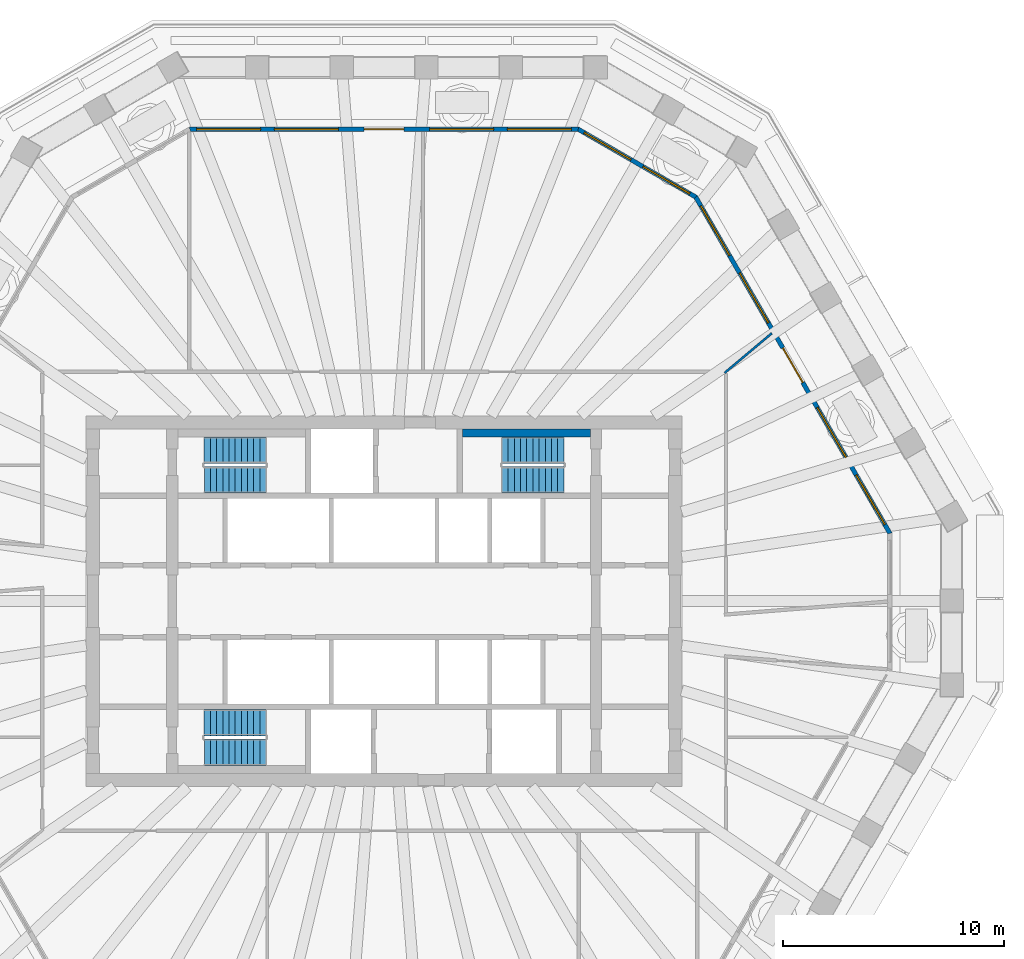
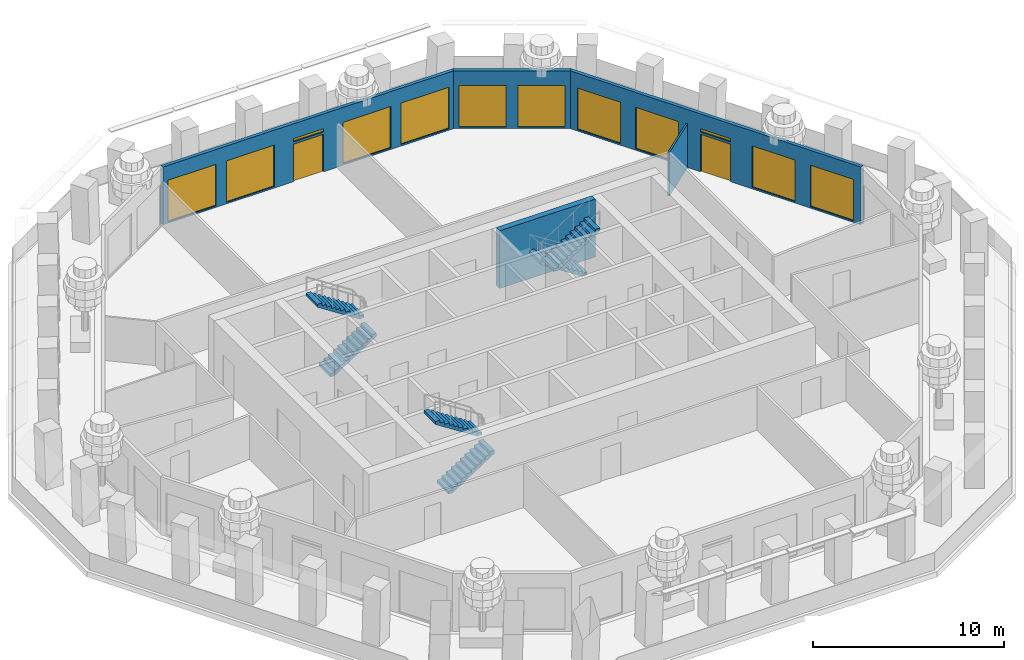
# One storey, part 7 of 12: 12 windows, 6 stair flights, 5 walls, 2 doors, 14 openings, 3 elements without a shape of their own.
"""IFC4 building model written with IfcOpenShell, lengths in metres."""

from ifc_helpers import new_model, si_unit, direction, frame, frame_2d, origin, place, context, subcontext, project, spatial, polyline, rectangle, outline, extrude, material, layer, layer_set, type_object, element, fill, aggregate, save


model = new_model("IFC4")

# Units and contexts
model_context = context("Model", 3, precision=1e-05, world=origin(), true_north=direction((0.0, 1.0)))
body_context = subcontext(model_context, "Body", "Model", "MODEL_VIEW")
ifc_project = project(units=[si_unit("LENGTHUNIT", "METRE"), si_unit("AREAUNIT", "SQUARE_METRE"), si_unit("VOLUMEUNIT", "CUBIC_METRE"), si_unit("PLANEANGLEUNIT", "RADIAN"), si_unit("MASSUNIT", "GRAM", prefix="KILO")], contexts=[model_context])

# Site, building, storey
site_placement = place(None, origin())
site = spatial("IfcSite", under=ifc_project, at=site_placement, CompositionType="ELEMENT")
building_placement = place(site_placement, origin())
building = spatial("IfcBuilding", under=site, at=building_placement, Name="Frailejon Research Tower", CompositionType="ELEMENT")
storey_placement = place(building_placement, frame((0.0, 0.0, 211.39990234375)))
storey = spatial("IfcBuildingStorey", under=building, at=storey_placement, Name="L45", CompositionType="ELEMENT", Elevation=211.39990234375)

# Walls
ifc_material_1 = material(Name="Gypsum board and masonry partition", Category="masonry")
ifc_layer_1 = layer(ifc_material_1, 0.10009765625)
ifc_layer_set_1 = layer_set([ifc_layer_1], Name="Partition, gypsum on steel studs 100")
wall_type_1 = type_object("IfcWallType", Name="Partition, gypsum on steel studs 100", PredefinedType="PARTITIONING", material=ifc_layer_set_1)
wall_1_placement = place(storey_placement, frame((15.442626953125, 10.351806640625, 0.0), z_axis=(0.0, 0.0, 1.0), x_axis=(0.765599818327, 0.643317121005, 0.0)))
element("IfcWall", 1, at=wall_1_placement, inside=storey, type_object=wall_type_1, Name="T:IW:L45:015", PredefinedType="PARTITIONING", context=body_context, shape_type="SweptSolid", body=[
    extrude(rectangle(XDim=2.793212890625, YDim=0.10009765625, at=frame_2d((1.396484375, 0.0))), origin(), (0.0, 0.0, 1.0), 2.800048828125),
])
ifc_material_2 = material(Name="Concrete C60/75", Category="concrete")
ifc_layer_2 = layer(ifc_material_2, 0.35009765625)
ifc_layer_set_2 = layer_set([ifc_layer_2], Name="Shaft wall 350 C60/75")
wall_type_2 = type_object("IfcWallType", Name="Shaft wall 350 C60/75", PredefinedType="SOLIDWALL", material=ifc_layer_set_2)
wall_2_placement = place(storey_placement, frame((3.550048828125, 7.625, 0.0), z_axis=(0.0, 0.0, 1.0), x_axis=(1.0, 0.0, 0.0)))
element("IfcWall", 2, at=wall_2_placement, inside=storey, type_object=wall_type_2, Name="Shaft wall", PredefinedType="SOLIDWALL", context=body_context, shape_type="SweptSolid", body=[
    extrude(rectangle(XDim=5.800048828125, YDim=0.35009765625, at=frame_2d((2.89990234375, 0.0))), origin(), (0.0, 0.0, 1.0), 3.7001953125),
])

# Wall, openings, door, windows
ifc_material_3 = material(Name="Concrete C40/50 precast window wall panel", Category="concrete")
ifc_layer_3 = layer(ifc_material_3, 0.199951171875)
ifc_layer_set_3 = layer_set([ifc_layer_3], Name="Window wall 200")
wall_type_3 = type_object("IfcWallType", Name="Window wall 200", PredefinedType="SOLIDWALL", material=ifc_layer_set_3)
wall_3_placement = place(storey_placement, frame((22.934326171875, 3.076416015625, 0.0), z_axis=(0.0, 0.0, 1.0), x_axis=(-0.499992938033, 0.866029480975, 0.0)))
wall_3 = element("IfcWall", 3, at=wall_3_placement, inside=storey, type_object=wall_type_3, Name="Exterior wall L45", PredefinedType="SOLIDWALL", context=body_context, shape_type="SweptSolid", body=[
    extrude(outline(polyline([(-0.02685546875, -0.10009765625), (1.011962890625, -0.10009765625), (2.05078125, -0.10009765625), (3.089599609375, -0.10009765625), (4.12841796875, -0.10009765625), (5.1669921875, -0.10009765625), (6.205810546875, -0.10009765625), (7.24462890625, -0.10009765625), (8.283447265625, -0.10009765625), (9.322265625, -0.10009765625), (10.361083984375, -0.10009765625), (11.39990234375, -0.10009765625), (12.438720703125, -0.10009765625), (13.477294921875, -0.10009765625), (14.51611328125, -0.10009765625), (15.554931640625, -0.10009765625), (16.59375, -0.10009765625), (17.632568359375, -0.10009765625), (17.578857421875, 0.10009765625), (16.54638671875, 0.10009765625), (15.513916015625, 0.10009765625), (14.4814453125, 0.10009765625), (13.448974609375, 0.10009765625), (12.41650390625, 0.10009765625), (11.384033203125, 0.10009765625), (10.3515625, 0.10009765625), (9.319091796875, 0.10009765625), (8.28662109375, 0.10009765625), (7.254150390625, 0.10009765625), (6.2216796875, 0.10009765625), (5.189208984375, 0.10009765625), (4.15673828125, 0.10009765625), (3.124267578125, 0.10009765625), (2.091796875, 0.10009765625), (1.059326171875, 0.10009765625), (0.02685546875, 0.10009765625), (-0.02685546875, -0.10009765625)])), origin(), (0.0, 0.0, 1.0), 3.7001953125),
])
opening_1_placement = place(wall_3_placement, frame((0.460693359375, 0.0, 0.10009765625)))
opening_1 = element("IfcOpeningElement", 4, at=opening_1_placement, cuts=wall_3, Name="Opening W18", PredefinedType="OPENING", context=body_context, shape_type="SweptSolid", body=[
    extrude(rectangle(XDim=2.60009765625, YDim=2.64990234375, at=frame_2d((1.300048828125, 1.324951171875))), frame((0.0, 0.10986328125, 0.0), z_axis=(0.0, -1.0, 0.0), x_axis=(1.0, 0.0, 0.0)), (0.0, 0.0, 1.0), 0.219970703125),
])
opening_2_placement = place(wall_3_placement, frame((3.981689453125, 0.0, 0.10009765625)))
opening_2 = element("IfcOpeningElement", 5, at=opening_2_placement, cuts=wall_3, Name="Opening W18", PredefinedType="OPENING", context=body_context, shape_type="SweptSolid", body=[
    extrude(rectangle(XDim=2.60009765625, YDim=2.64990234375, at=frame_2d((1.300048828125, 1.324951171875))), frame((0.0, 0.10986328125, 0.0), z_axis=(0.0, -1.0, 0.0), x_axis=(1.0, 0.0, 0.0)), (0.0, 0.0, 1.0), 0.219970703125),
])
opening_3_placement = place(wall_3_placement, frame((7.90283203125, 0.0, 0.0)))
opening_3 = element("IfcOpeningElement", 6, at=opening_3_placement, cuts=wall_3, Name="Opening LG45-1", PredefinedType="OPENING", context=body_context, shape_type="SweptSolid", body=[
    extrude(rectangle(XDim=1.800048828125, YDim=2.39990234375, at=frame_2d((0.89990234375, 1.199951171875))), frame((0.0, 0.10986328125, 0.0), z_axis=(0.0, -1.0, 0.0), x_axis=(1.0, 0.0, 0.0)), (0.0, 0.0, 1.0), 0.219970703125),
])
opening_4_placement = place(wall_3_placement, frame((7.90283203125, 0.0, 2.550048828125)))
opening_4 = element("IfcOpeningElement", 7, at=opening_4_placement, cuts=wall_3, Name="Opening W19", PredefinedType="OPENING", context=body_context, shape_type="SweptSolid", body=[
    extrude(rectangle(XDim=1.800048828125, YDim=0.199951171875, at=frame_2d((0.89990234375, 0.10009765625))), frame((0.0, 0.10986328125, 0.0), z_axis=(0.0, -1.0, 0.0), x_axis=(1.0, 0.0, 0.0)), (0.0, 0.0, 1.0), 0.219970703125),
])
opening_5_placement = place(wall_3_placement, frame((11.024169921875, 0.0, 0.10009765625)))
opening_5 = element("IfcOpeningElement", 8, at=opening_5_placement, cuts=wall_3, Name="Opening W18", PredefinedType="OPENING", context=body_context, shape_type="SweptSolid", body=[
    extrude(rectangle(XDim=2.60009765625, YDim=2.64990234375, at=frame_2d((1.300048828125, 1.324951171875))), frame((0.0, 0.10986328125, 0.0), z_axis=(0.0, -1.0, 0.0), x_axis=(1.0, 0.0, 0.0)), (0.0, 0.0, 1.0), 0.219970703125),
])
opening_6_placement = place(wall_3_placement, frame((14.545166015625, 0.0, 0.10009765625)))
opening_6 = element("IfcOpeningElement", 9, at=opening_6_placement, cuts=wall_3, Name="Opening W18", PredefinedType="OPENING", context=body_context, shape_type="SweptSolid", body=[
    extrude(rectangle(XDim=2.60009765625, YDim=2.64990234375, at=frame_2d((1.300048828125, 1.324951171875))), frame((0.0, 0.10986328125, 0.0), z_axis=(0.0, -1.0, 0.0), x_axis=(1.0, 0.0, 0.0)), (0.0, 0.0, 1.0), 0.219970703125),
])
ifc_material_4 = material(Name="Aluminium framed glazed door leaf", Category="aluminium")
door_type = type_object("IfcDoorType", Name="Loggia door 1800x2400", OperationType="DOUBLE_DOOR_SINGLE_SWING", PredefinedType="DOOR", material=ifc_material_4)
door_1_placement = place(opening_3_placement, origin())
door_1 = element("IfcDoor", 10, at=door_1_placement, inside=storey, type_object=door_type, Name="Door LG45-1", OperationType="DOUBLE_DOOR_SINGLE_SWING", OverallHeight=2.39990234375, OverallWidth=1.800048828125, PredefinedType="DOOR", context=body_context, shape_type="SweptSolid", body=[
    extrude(rectangle(XDim=1.800048828125, YDim=2.39990234375, at=frame_2d((0.89990234375, 1.199951171875))), frame((0.0, 0.02490234375, 0.0), z_axis=(0.0, -1.0, 0.0), x_axis=(1.0, 0.0, 0.0)), (0.0, 0.0, 1.0), 0.050048828125),
])
fill(opening_3, door_1)
ifc_material_5 = material(Name="Aluminium framed double glazing", Category="aluminium")
window_type_1 = type_object("IfcWindowType", Name="Window 1800x200", PartitioningType="SINGLE_PANEL", PredefinedType="WINDOW", material=ifc_material_5)
window_1_placement = place(opening_4_placement, origin())
window_1 = element("IfcWindow", 11, at=window_1_placement, inside=storey, type_object=window_type_1, Name="Window L45", OverallHeight=0.199951171875, OverallWidth=1.800048828125, PartitioningType="SINGLE_PANEL", PredefinedType="WINDOW", context=body_context, shape_type="SweptSolid", body=[
    extrude(rectangle(XDim=1.800048828125, YDim=0.199951171875, at=frame_2d((0.89990234375, 0.10009765625))), frame((0.0, 0.030029296875, 0.0), z_axis=(0.0, -1.0, 0.0), x_axis=(1.0, 0.0, 0.0)), (0.0, 0.0, 1.0), 0.06005859375),
])
fill(opening_4, window_1)
ifc_material_6 = material(Name="Aluminium framed double glazing", Category="aluminium")
window_type_2 = type_object("IfcWindowType", Name="Window 2600x2650", PartitioningType="SINGLE_PANEL", PredefinedType="WINDOW", material=ifc_material_6)
window_2_placement = place(opening_1_placement, origin())
window_2 = element("IfcWindow", 12, at=window_2_placement, inside=storey, type_object=window_type_2, Name="Window L45", OverallHeight=2.64990234375, OverallWidth=2.60009765625, PartitioningType="SINGLE_PANEL", PredefinedType="WINDOW", context=body_context, shape_type="SweptSolid", body=[
    extrude(rectangle(XDim=2.60009765625, YDim=2.64990234375, at=frame_2d((1.300048828125, 1.324951171875))), frame((0.0, 0.030029296875, 0.0), z_axis=(0.0, -1.0, 0.0), x_axis=(1.0, 0.0, 0.0)), (0.0, 0.0, 1.0), 0.06005859375),
])
fill(opening_1, window_2)
window_3_placement = place(opening_2_placement, origin())
window_3 = element("IfcWindow", 13, at=window_3_placement, inside=storey, type_object=window_type_2, Name="Window L45", OverallHeight=2.64990234375, OverallWidth=2.60009765625, PartitioningType="SINGLE_PANEL", PredefinedType="WINDOW", context=body_context, shape_type="SweptSolid", body=[
    extrude(rectangle(XDim=2.60009765625, YDim=2.64990234375, at=frame_2d((1.300048828125, 1.324951171875))), frame((0.0, 0.030029296875, 0.0), z_axis=(0.0, -1.0, 0.0), x_axis=(1.0, 0.0, 0.0)), (0.0, 0.0, 1.0), 0.06005859375),
])
fill(opening_2, window_3)
window_4_placement = place(opening_5_placement, origin())
window_4 = element("IfcWindow", 14, at=window_4_placement, inside=storey, type_object=window_type_2, Name="Window L45", OverallHeight=2.64990234375, OverallWidth=2.60009765625, PartitioningType="SINGLE_PANEL", PredefinedType="WINDOW", context=body_context, shape_type="SweptSolid", body=[
    extrude(rectangle(XDim=2.60009765625, YDim=2.64990234375, at=frame_2d((1.300048828125, 1.324951171875))), frame((0.0, 0.030029296875, 0.0), z_axis=(0.0, -1.0, 0.0), x_axis=(1.0, 0.0, 0.0)), (0.0, 0.0, 1.0), 0.06005859375),
])
fill(opening_5, window_4)
window_5_placement = place(opening_6_placement, origin())
window_5 = element("IfcWindow", 15, at=window_5_placement, inside=storey, type_object=window_type_2, Name="Window L45", OverallHeight=2.64990234375, OverallWidth=2.60009765625, PartitioningType="SINGLE_PANEL", PredefinedType="WINDOW", context=body_context, shape_type="SweptSolid", body=[
    extrude(rectangle(XDim=2.60009765625, YDim=2.64990234375, at=frame_2d((1.300048828125, 1.324951171875))), frame((0.0, 0.030029296875, 0.0), z_axis=(0.0, -1.0, 0.0), x_axis=(1.0, 0.0, 0.0)), (0.0, 0.0, 1.0), 0.06005859375),
])
fill(opening_6, window_5)

# Wall, openings, windows
wall_4_placement = place(storey_placement, frame((14.131591796875, 18.323486328125, 0.0), z_axis=(0.0, 0.0, 1.0), x_axis=(-0.866029647142, 0.499992650217, 0.0)))
wall_4 = element("IfcWall", 16, at=wall_4_placement, inside=storey, type_object=wall_type_3, Name="Exterior wall L45", PredefinedType="SOLIDWALL", context=body_context, shape_type="SweptSolid", body=[
    extrude(outline(polyline([(-0.02685546875, -0.10009765625), (1.007568359375, -0.10009765625), (2.0419921875, -0.10009765625), (3.076416015625, -0.10009765625), (4.11083984375, -0.10009765625), (5.145263671875, -0.10009765625), (6.1796875, -0.10009765625), (6.1259765625, 0.10009765625), (5.109375, 0.10009765625), (4.093017578125, 0.10009765625), (3.076416015625, 0.10009765625), (2.059814453125, 0.10009765625), (1.04345703125, 0.10009765625), (0.02685546875, 0.10009765625), (-0.02685546875, -0.10009765625)])), origin(), (0.0, 0.0, 1.0), 3.7001953125),
])
opening_7_placement = place(wall_4_placement, frame((0.313232421875, 0.0, 0.10009765625)))
opening_7 = element("IfcOpeningElement", 17, at=opening_7_placement, cuts=wall_4, Name="Opening W17", PredefinedType="OPENING", context=body_context, shape_type="SweptSolid", body=[
    extrude(rectangle(XDim=2.449951171875, YDim=2.64990234375, at=frame_2d((1.22509765625, 1.324951171875))), frame((0.0, 0.10986328125, 0.0), z_axis=(0.0, -1.0, 0.0), x_axis=(1.0, 0.0, 0.0)), (0.0, 0.0, 1.0), 0.219970703125),
])
opening_8_placement = place(wall_4_placement, frame((3.3896484375, 0.0, 0.10009765625)))
opening_8 = element("IfcOpeningElement", 18, at=opening_8_placement, cuts=wall_4, Name="Opening W17", PredefinedType="OPENING", context=body_context, shape_type="SweptSolid", body=[
    extrude(rectangle(XDim=2.449951171875, YDim=2.64990234375, at=frame_2d((1.22509765625, 1.324951171875))), frame((0.0, 0.10986328125, 0.0), z_axis=(0.0, -1.0, 0.0), x_axis=(1.0, 0.0, 0.0)), (0.0, 0.0, 1.0), 0.219970703125),
])
ifc_material_7 = material(Name="Aluminium framed double glazing", Category="aluminium")
window_type_3 = type_object("IfcWindowType", Name="Window 2450x2650", PartitioningType="SINGLE_PANEL", PredefinedType="WINDOW", material=ifc_material_7)
window_6_placement = place(opening_7_placement, origin())
window_6 = element("IfcWindow", 19, at=window_6_placement, inside=storey, type_object=window_type_3, Name="Window L45", OverallHeight=2.64990234375, OverallWidth=2.449951171875, PartitioningType="SINGLE_PANEL", PredefinedType="WINDOW", context=body_context, shape_type="SweptSolid", body=[
    extrude(rectangle(XDim=2.449951171875, YDim=2.64990234375, at=frame_2d((1.22509765625, 1.324951171875))), frame((0.0, 0.030029296875, 0.0), z_axis=(0.0, -1.0, 0.0), x_axis=(1.0, 0.0, 0.0)), (0.0, 0.0, 1.0), 0.06005859375),
])
fill(opening_7, window_6)
window_7_placement = place(opening_8_placement, origin())
window_7 = element("IfcWindow", 20, at=window_7_placement, inside=storey, type_object=window_type_3, Name="Window L45", OverallHeight=2.64990234375, OverallWidth=2.449951171875, PartitioningType="SINGLE_PANEL", PredefinedType="WINDOW", context=body_context, shape_type="SweptSolid", body=[
    extrude(rectangle(XDim=2.449951171875, YDim=2.64990234375, at=frame_2d((1.22509765625, 1.324951171875))), frame((0.0, 0.030029296875, 0.0), z_axis=(0.0, -1.0, 0.0), x_axis=(1.0, 0.0, 0.0)), (0.0, 0.0, 1.0), 0.06005859375),
])
fill(opening_8, window_7)

# Wall, openings, door, windows
wall_5_placement = place(storey_placement, frame((8.802978515625, 21.39990234375, 0.0), z_axis=(0.0, 0.0, 1.0), x_axis=(-1.0, 0.0, 0.0)))
wall_5 = element("IfcWall", 21, at=wall_5_placement, inside=storey, type_object=wall_type_3, Name="Exterior wall L45", PredefinedType="SOLIDWALL", context=body_context, shape_type="SweptSolid", body=[
    extrude(outline(polyline([(-0.02685546875, -0.10009765625), (1.011962890625, -0.10009765625), (2.05078125, -0.10009765625), (3.089599609375, -0.10009765625), (4.12841796875, -0.10009765625), (5.167236328125, -0.10009765625), (6.2060546875, -0.10009765625), (7.244873046875, -0.10009765625), (8.28369140625, -0.10009765625), (9.322265625, -0.10009765625), (10.361083984375, -0.10009765625), (11.39990234375, -0.10009765625), (12.438720703125, -0.10009765625), (13.4775390625, -0.10009765625), (14.516357421875, -0.10009765625), (15.55517578125, -0.10009765625), (16.593994140625, -0.10009765625), (17.6328125, -0.10009765625), (17.5791015625, 0.10009765625), (16.546630859375, 0.10009765625), (15.51416015625, 0.10009765625), (14.481689453125, 0.10009765625), (13.44921875, 0.10009765625), (12.416748046875, 0.10009765625), (11.38427734375, 0.10009765625), (10.351806640625, 0.10009765625), (9.3193359375, 0.10009765625), (8.28662109375, 0.10009765625), (7.254150390625, 0.10009765625), (6.2216796875, 0.10009765625), (5.189208984375, 0.10009765625), (4.15673828125, 0.10009765625), (3.124267578125, 0.10009765625), (2.091796875, 0.10009765625), (1.059326171875, 0.10009765625), (0.02685546875, 0.10009765625), (-0.02685546875, -0.10009765625)])), origin(), (0.0, 0.0, 1.0), 3.7001953125),
])
opening_9_placement = place(wall_5_placement, frame((0.310546875, 0.0, 0.10009765625)))
opening_9 = element("IfcOpeningElement", 22, at=opening_9_placement, cuts=wall_5, Name="Opening W20", PredefinedType="OPENING", context=body_context, shape_type="SweptSolid", body=[
    extrude(rectangle(XDim=2.89990234375, YDim=2.64990234375, at=frame_2d((1.449951171875, 1.324951171875))), frame((0.0, 0.10986328125, 0.0), z_axis=(0.0, -1.0, 0.0), x_axis=(1.0, 0.0, 0.0)), (0.0, 0.0, 1.0), 0.219970703125),
])
opening_10_placement = place(wall_5_placement, frame((3.831787109375, 0.0, 0.10009765625)))
opening_10 = element("IfcOpeningElement", 23, at=opening_10_placement, cuts=wall_5, Name="Opening W20", PredefinedType="OPENING", context=body_context, shape_type="SweptSolid", body=[
    extrude(rectangle(XDim=2.89990234375, YDim=2.64990234375, at=frame_2d((1.449951171875, 1.324951171875))), frame((0.0, 0.10986328125, 0.0), z_axis=(0.0, -1.0, 0.0), x_axis=(1.0, 0.0, 0.0)), (0.0, 0.0, 1.0), 0.219970703125),
])
opening_11_placement = place(wall_5_placement, frame((7.90283203125, 0.0, 0.0)))
opening_11 = element("IfcOpeningElement", 24, at=opening_11_placement, cuts=wall_5, Name="Opening LG45-2", PredefinedType="OPENING", context=body_context, shape_type="SweptSolid", body=[
    extrude(rectangle(XDim=1.800048828125, YDim=2.39990234375, at=frame_2d((0.89990234375, 1.199951171875))), frame((0.0, 0.10986328125, 0.0), z_axis=(0.0, -1.0, 0.0), x_axis=(1.0, 0.0, 0.0)), (0.0, 0.0, 1.0), 0.219970703125),
])
opening_12_placement = place(wall_5_placement, frame((7.90283203125, 0.0, 2.550048828125)))
opening_12 = element("IfcOpeningElement", 25, at=opening_12_placement, cuts=wall_5, Name="Opening W19", PredefinedType="OPENING", context=body_context, shape_type="SweptSolid", body=[
    extrude(rectangle(XDim=1.800048828125, YDim=0.199951171875, at=frame_2d((0.89990234375, 0.10009765625))), frame((0.0, 0.10986328125, 0.0), z_axis=(0.0, -1.0, 0.0), x_axis=(1.0, 0.0, 0.0)), (0.0, 0.0, 1.0), 0.219970703125),
])
opening_13_placement = place(wall_5_placement, frame((10.8740234375, 0.0, 0.10009765625)))
opening_13 = element("IfcOpeningElement", 26, at=opening_13_placement, cuts=wall_5, Name="Opening W20", PredefinedType="OPENING", context=body_context, shape_type="SweptSolid", body=[
    extrude(rectangle(XDim=2.89990234375, YDim=2.64990234375, at=frame_2d((1.449951171875, 1.324951171875))), frame((0.0, 0.10986328125, 0.0), z_axis=(0.0, -1.0, 0.0), x_axis=(1.0, 0.0, 0.0)), (0.0, 0.0, 1.0), 0.219970703125),
])
opening_14_placement = place(wall_5_placement, frame((14.395263671875, 0.0, 0.10009765625)))
opening_14 = element("IfcOpeningElement", 27, at=opening_14_placement, cuts=wall_5, Name="Opening W20", PredefinedType="OPENING", context=body_context, shape_type="SweptSolid", body=[
    extrude(rectangle(XDim=2.89990234375, YDim=2.64990234375, at=frame_2d((1.449951171875, 1.324951171875))), frame((0.0, 0.10986328125, 0.0), z_axis=(0.0, -1.0, 0.0), x_axis=(1.0, 0.0, 0.0)), (0.0, 0.0, 1.0), 0.219970703125),
])
door_2_placement = place(opening_11_placement, origin())
door_2 = element("IfcDoor", 28, at=door_2_placement, inside=storey, type_object=door_type, Name="Door LG45-2", OperationType="DOUBLE_DOOR_SINGLE_SWING", OverallHeight=2.39990234375, OverallWidth=1.800048828125, PredefinedType="DOOR", context=body_context, shape_type="SweptSolid", body=[
    extrude(rectangle(XDim=1.800048828125, YDim=2.39990234375, at=frame_2d((0.89990234375, 1.199951171875))), frame((0.0, 0.02490234375, 0.0), z_axis=(0.0, -1.0, 0.0), x_axis=(1.0, 0.0, 0.0)), (0.0, 0.0, 1.0), 0.050048828125),
])
fill(opening_11, door_2)
window_8_placement = place(opening_12_placement, origin())
window_8 = element("IfcWindow", 29, at=window_8_placement, inside=storey, type_object=window_type_1, Name="Window L45", OverallHeight=0.199951171875, OverallWidth=1.800048828125, PartitioningType="SINGLE_PANEL", PredefinedType="WINDOW", context=body_context, shape_type="SweptSolid", body=[
    extrude(rectangle(XDim=1.800048828125, YDim=0.199951171875, at=frame_2d((0.89990234375, 0.10009765625))), frame((0.0, 0.030029296875, 0.0), z_axis=(0.0, -1.0, 0.0), x_axis=(1.0, 0.0, 0.0)), (0.0, 0.0, 1.0), 0.06005859375),
])
fill(opening_12, window_8)
ifc_material_8 = material(Name="Aluminium framed double glazing", Category="aluminium")
window_type_4 = type_object("IfcWindowType", Name="Window 2900x2650", PartitioningType="SINGLE_PANEL", PredefinedType="WINDOW", material=ifc_material_8)
window_9_placement = place(opening_9_placement, origin())
window_9 = element("IfcWindow", 30, at=window_9_placement, inside=storey, type_object=window_type_4, Name="Window L45", OverallHeight=2.64990234375, OverallWidth=2.89990234375, PartitioningType="SINGLE_PANEL", PredefinedType="WINDOW", context=body_context, shape_type="SweptSolid", body=[
    extrude(rectangle(XDim=2.89990234375, YDim=2.64990234375, at=frame_2d((1.449951171875, 1.324951171875))), frame((0.0, 0.030029296875, 0.0), z_axis=(0.0, -1.0, 0.0), x_axis=(1.0, 0.0, 0.0)), (0.0, 0.0, 1.0), 0.06005859375),
])
fill(opening_9, window_9)
window_10_placement = place(opening_10_placement, origin())
window_10 = element("IfcWindow", 31, at=window_10_placement, inside=storey, type_object=window_type_4, Name="Window L45", OverallHeight=2.64990234375, OverallWidth=2.89990234375, PartitioningType="SINGLE_PANEL", PredefinedType="WINDOW", context=body_context, shape_type="SweptSolid", body=[
    extrude(rectangle(XDim=2.89990234375, YDim=2.64990234375, at=frame_2d((1.449951171875, 1.324951171875))), frame((0.0, 0.030029296875, 0.0), z_axis=(0.0, -1.0, 0.0), x_axis=(1.0, 0.0, 0.0)), (0.0, 0.0, 1.0), 0.06005859375),
])
fill(opening_10, window_10)
window_11_placement = place(opening_13_placement, origin())
window_11 = element("IfcWindow", 32, at=window_11_placement, inside=storey, type_object=window_type_4, Name="Window L45", OverallHeight=2.64990234375, OverallWidth=2.89990234375, PartitioningType="SINGLE_PANEL", PredefinedType="WINDOW", context=body_context, shape_type="SweptSolid", body=[
    extrude(rectangle(XDim=2.89990234375, YDim=2.64990234375, at=frame_2d((1.449951171875, 1.324951171875))), frame((0.0, 0.030029296875, 0.0), z_axis=(0.0, -1.0, 0.0), x_axis=(1.0, 0.0, 0.0)), (0.0, 0.0, 1.0), 0.06005859375),
])
fill(opening_13, window_11)
window_12_placement = place(opening_14_placement, origin())
window_12 = element("IfcWindow", 33, at=window_12_placement, inside=storey, type_object=window_type_4, Name="Window L45", OverallHeight=2.64990234375, OverallWidth=2.89990234375, PartitioningType="SINGLE_PANEL", PredefinedType="WINDOW", context=body_context, shape_type="SweptSolid", body=[
    extrude(rectangle(XDim=2.89990234375, YDim=2.64990234375, at=frame_2d((1.449951171875, 1.324951171875))), frame((0.0, 0.030029296875, 0.0), z_axis=(0.0, -1.0, 0.0), x_axis=(1.0, 0.0, 0.0)), (0.0, 0.0, 1.0), 0.06005859375),
])
fill(opening_14, window_12)

# Stair, stair flights
ifc_material_9 = material(Name="Concrete C50/60", Category="concrete")
stair_type = type_object("IfcStairType", Name="Exit stair 22 risers", PredefinedType="HALF_TURN_STAIR", material=ifc_material_9)
stair_1_placement = place(storey_placement, origin())
stair_1 = element("IfcStair", 34, at=stair_1_placement, inside=storey, type_object=stair_type, Name="L45 Exit stair ST1", PredefinedType="HALF_TURN_STAIR")
ifc_material_10 = material(Name="Concrete C50/60", Category="concrete")
ifc_layer_4 = layer(ifc_material_10, 0.14990234375)
ifc_layer_set_4 = layer_set([ifc_layer_4], Name="Stair flight 11 risers")
stair_flight_type = type_object("IfcStairFlightType", Name="Stair flight 11 risers", PredefinedType="STRAIGHT", material=ifc_layer_set_4)
stair_flight_1_placement = place(storey_placement, frame((-8.14990234375, 5.5, 0.0), z_axis=(0.0, 0.0, 1.0), x_axis=(1.0, 0.0, 0.0)))
stair_flight_1 = element("IfcStairFlight", 35, at=stair_flight_1_placement, type_object=stair_flight_type, Name="ST1 flight 1", NumberOfRisers=11, NumberOfTreads=10, PredefinedType="STRAIGHT", RiserHeight=0.181818182, TreadLength=0.28, context=body_context, shape_type="SweptSolid", body=[
    extrude(outline(polyline([(0.0, 0.0), (0.0, 0.181884765625), (0.280029296875, 0.181884765625), (0.280029296875, 0.363525390625), (0.56005859375, 0.363525390625), (0.56005859375, 0.54541015625), (0.840087890625, 0.54541015625), (0.840087890625, 0.727294921875), (1.1201171875, 0.727294921875), (1.1201171875, 0.9091796875), (1.39990234375, 0.9091796875), (1.39990234375, 1.0908203125), (1.679931640625, 1.0908203125), (1.679931640625, 1.272705078125), (1.9599609375, 1.272705078125), (1.9599609375, 1.45458984375), (2.239990234375, 1.45458984375), (2.239990234375, 1.636474609375), (2.52001953125, 1.636474609375), (2.52001953125, 1.818115234375), (2.800048828125, 1.818115234375), (2.800048828125, 2.0), (2.800048828125, 1.639404296875), (0.275146484375, 0.0), (0.0, 0.0)])), frame((0.0, 0.60009765625, 0.0), z_axis=(0.0, -1.0, 0.0), x_axis=(1.0, 0.0, 0.0)), (0.0, 0.0, 1.0), 1.199951171875),
])
stair_flight_2_placement = place(storey_placement, frame((-5.35009765625, 6.85009765625, 2.0), z_axis=(0.0, 0.0, 1.0), x_axis=(-1.0, 0.0, 0.0)))
stair_flight_2 = element("IfcStairFlight", 36, at=stair_flight_2_placement, type_object=stair_flight_type, Name="ST1 flight 2", NumberOfRisers=11, NumberOfTreads=10, PredefinedType="STRAIGHT", RiserHeight=0.181818182, TreadLength=0.28, context=body_context, shape_type="SweptSolid", body=[
    extrude(outline(polyline([(0.0, 0.0), (0.0, 0.181884765625), (0.280029296875, 0.181884765625), (0.280029296875, 0.363525390625), (0.56005859375, 0.363525390625), (0.56005859375, 0.54541015625), (0.840087890625, 0.54541015625), (0.840087890625, 0.727294921875), (1.1201171875, 0.727294921875), (1.1201171875, 0.9091796875), (1.39990234375, 0.9091796875), (1.39990234375, 1.0908203125), (1.679931640625, 1.0908203125), (1.679931640625, 1.272705078125), (1.9599609375, 1.272705078125), (1.9599609375, 1.45458984375), (2.239990234375, 1.45458984375), (2.239990234375, 1.636474609375), (2.52001953125, 1.636474609375), (2.52001953125, 1.818115234375), (2.800048828125, 1.818115234375), (2.800048828125, 2.0), (2.800048828125, 1.639404296875), (0.275146484375, 0.0), (0.0, 0.0)])), frame((0.0, 0.60009765625, 0.0), z_axis=(0.0, -1.0, 0.0), x_axis=(1.0, 0.0, 0.0)), (0.0, 0.0, 1.0), 1.199951171875),
])
aggregate(stair_1, [stair_flight_1, stair_flight_2])

stair_2_placement = place(storey_placement, origin())
stair_2 = element("IfcStair", 37, at=stair_2_placement, inside=storey, type_object=stair_type, Name="L45 Exit stair ST2", PredefinedType="HALF_TURN_STAIR")
stair_flight_3_placement = place(storey_placement, frame((-8.14990234375, -6.85009765625, 0.0), z_axis=(0.0, 0.0, 1.0), x_axis=(1.0, 0.0, 0.0)))
stair_flight_3 = element("IfcStairFlight", 38, at=stair_flight_3_placement, type_object=stair_flight_type, Name="ST2 flight 1", NumberOfRisers=11, NumberOfTreads=10, PredefinedType="STRAIGHT", RiserHeight=0.181818182, TreadLength=0.28, context=body_context, shape_type="SweptSolid", body=[
    extrude(outline(polyline([(0.0, 0.0), (0.0, 0.181884765625), (0.280029296875, 0.181884765625), (0.280029296875, 0.363525390625), (0.56005859375, 0.363525390625), (0.56005859375, 0.54541015625), (0.840087890625, 0.54541015625), (0.840087890625, 0.727294921875), (1.1201171875, 0.727294921875), (1.1201171875, 0.9091796875), (1.39990234375, 0.9091796875), (1.39990234375, 1.0908203125), (1.679931640625, 1.0908203125), (1.679931640625, 1.272705078125), (1.9599609375, 1.272705078125), (1.9599609375, 1.45458984375), (2.239990234375, 1.45458984375), (2.239990234375, 1.636474609375), (2.52001953125, 1.636474609375), (2.52001953125, 1.818115234375), (2.800048828125, 1.818115234375), (2.800048828125, 2.0), (2.800048828125, 1.639404296875), (0.275146484375, 0.0), (0.0, 0.0)])), frame((0.0, 0.60009765625, 0.0), z_axis=(0.0, -1.0, 0.0), x_axis=(1.0, 0.0, 0.0)), (0.0, 0.0, 1.0), 1.199951171875),
])
stair_flight_4_placement = place(storey_placement, frame((-5.35009765625, -5.5, 2.0), z_axis=(0.0, 0.0, 1.0), x_axis=(-1.0, 0.0, 0.0)))
stair_flight_4 = element("IfcStairFlight", 39, at=stair_flight_4_placement, type_object=stair_flight_type, Name="ST2 flight 2", NumberOfRisers=11, NumberOfTreads=10, PredefinedType="STRAIGHT", RiserHeight=0.181818182, TreadLength=0.28, context=body_context, shape_type="SweptSolid", body=[
    extrude(outline(polyline([(0.0, 0.0), (0.0, 0.181884765625), (0.280029296875, 0.181884765625), (0.280029296875, 0.363525390625), (0.56005859375, 0.363525390625), (0.56005859375, 0.54541015625), (0.840087890625, 0.54541015625), (0.840087890625, 0.727294921875), (1.1201171875, 0.727294921875), (1.1201171875, 0.9091796875), (1.39990234375, 0.9091796875), (1.39990234375, 1.0908203125), (1.679931640625, 1.0908203125), (1.679931640625, 1.272705078125), (1.9599609375, 1.272705078125), (1.9599609375, 1.45458984375), (2.239990234375, 1.45458984375), (2.239990234375, 1.636474609375), (2.52001953125, 1.636474609375), (2.52001953125, 1.818115234375), (2.800048828125, 1.818115234375), (2.800048828125, 2.0), (2.800048828125, 1.639404296875), (0.275146484375, 0.0), (0.0, 0.0)])), frame((0.0, 0.60009765625, 0.0), z_axis=(0.0, -1.0, 0.0), x_axis=(1.0, 0.0, 0.0)), (0.0, 0.0, 1.0), 1.199951171875),
])
aggregate(stair_2, [stair_flight_3, stair_flight_4])

stair_3_placement = place(storey_placement, origin())
stair_3 = element("IfcStair", 40, at=stair_3_placement, inside=storey, type_object=stair_type, Name="L45 Exit stair ST3", PredefinedType="HALF_TURN_STAIR")
stair_flight_5_placement = place(storey_placement, frame((8.14990234375, 6.85009765625, 0.0), z_axis=(0.0, 0.0, 1.0), x_axis=(-1.0, 0.0, 0.0)))
stair_flight_5 = element("IfcStairFlight", 41, at=stair_flight_5_placement, type_object=stair_flight_type, Name="ST3 flight 1", NumberOfRisers=11, NumberOfTreads=10, PredefinedType="STRAIGHT", RiserHeight=0.181818182, TreadLength=0.28, context=body_context, shape_type="SweptSolid", body=[
    extrude(outline(polyline([(0.0, 0.0), (0.0, 0.181884765625), (0.280029296875, 0.181884765625), (0.280029296875, 0.363525390625), (0.56005859375, 0.363525390625), (0.56005859375, 0.54541015625), (0.840087890625, 0.54541015625), (0.840087890625, 0.727294921875), (1.1201171875, 0.727294921875), (1.1201171875, 0.9091796875), (1.39990234375, 0.9091796875), (1.39990234375, 1.0908203125), (1.679931640625, 1.0908203125), (1.679931640625, 1.272705078125), (1.9599609375, 1.272705078125), (1.9599609375, 1.45458984375), (2.239990234375, 1.45458984375), (2.239990234375, 1.636474609375), (2.52001953125, 1.636474609375), (2.52001953125, 1.818115234375), (2.800048828125, 1.818115234375), (2.800048828125, 2.0), (2.800048828125, 1.639404296875), (0.275146484375, 0.0), (0.0, 0.0)])), frame((0.0, 0.60009765625, 0.0), z_axis=(0.0, -1.0, 0.0), x_axis=(1.0, 0.0, 0.0)), (0.0, 0.0, 1.0), 1.199951171875),
])
stair_flight_6_placement = place(storey_placement, frame((5.35009765625, 5.5, 2.0), z_axis=(0.0, 0.0, 1.0), x_axis=(1.0, 0.0, 0.0)))
stair_flight_6 = element("IfcStairFlight", 42, at=stair_flight_6_placement, type_object=stair_flight_type, Name="ST3 flight 2", NumberOfRisers=11, NumberOfTreads=10, PredefinedType="STRAIGHT", RiserHeight=0.181818182, TreadLength=0.28, context=body_context, shape_type="SweptSolid", body=[
    extrude(outline(polyline([(0.0, 0.0), (0.0, 0.181884765625), (0.280029296875, 0.181884765625), (0.280029296875, 0.363525390625), (0.56005859375, 0.363525390625), (0.56005859375, 0.54541015625), (0.840087890625, 0.54541015625), (0.840087890625, 0.727294921875), (1.1201171875, 0.727294921875), (1.1201171875, 0.9091796875), (1.39990234375, 0.9091796875), (1.39990234375, 1.0908203125), (1.679931640625, 1.0908203125), (1.679931640625, 1.272705078125), (1.9599609375, 1.272705078125), (1.9599609375, 1.45458984375), (2.239990234375, 1.45458984375), (2.239990234375, 1.636474609375), (2.52001953125, 1.636474609375), (2.52001953125, 1.818115234375), (2.800048828125, 1.818115234375), (2.800048828125, 2.0), (2.800048828125, 1.639404296875), (0.275146484375, 0.0), (0.0, 0.0)])), frame((0.0, 0.60009765625, 0.0), z_axis=(0.0, -1.0, 0.0), x_axis=(1.0, 0.0, 0.0)), (0.0, 0.0, 1.0), 1.199951171875),
])
aggregate(stair_3, [stair_flight_5, stair_flight_6])

save(model, "model.ifc")
